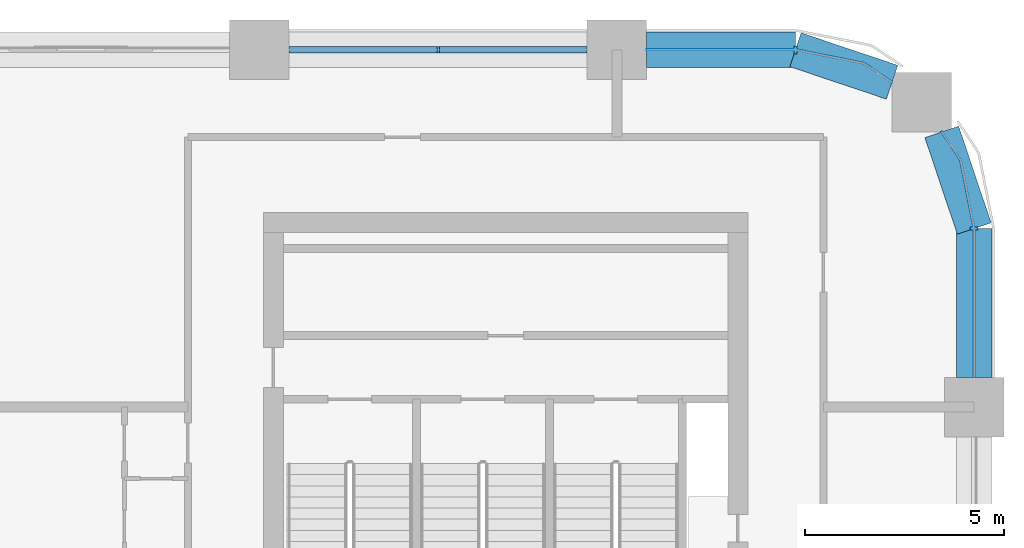
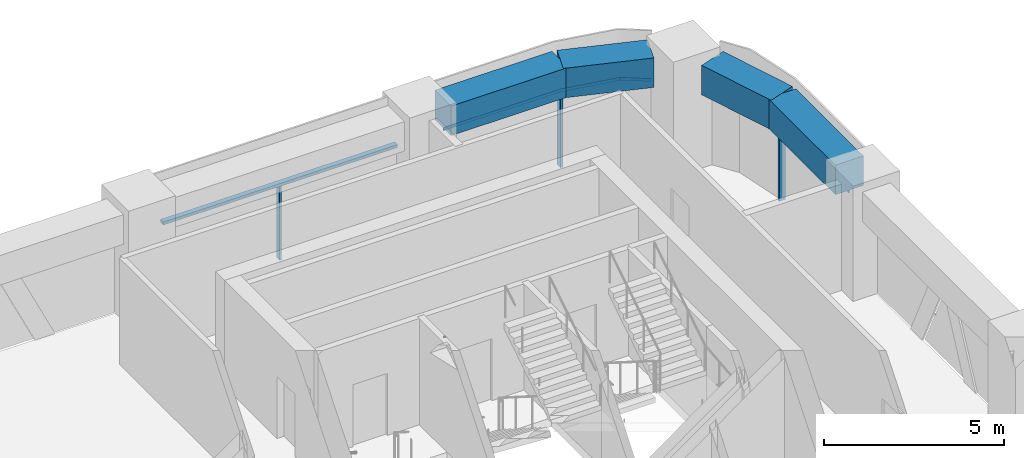
# One storey, part 6 of 19: 6 members, 4 beams, 3 elements without a shape of their own.
"""IFC4 building model written with IfcOpenShell, lengths in metres."""

from ifc_helpers import new_model, si_unit, direction, frame, origin, origin_2d, place, context, subcontext, project, spatial, polyline, rectangle, outline, extrude, material, material_profile, profile_set, type_object, element, aggregate, save


model = new_model("IFC4")

# Units and contexts
model_context = context("Model", 3, precision=1e-05, world=origin(), true_north=direction((0.0, 1.0)))
body_context = subcontext(model_context, "Body", "Model", "MODEL_VIEW")
ifc_project = project(units=[si_unit("LENGTHUNIT", "METRE"), si_unit("AREAUNIT", "SQUARE_METRE"), si_unit("VOLUMEUNIT", "CUBIC_METRE"), si_unit("PLANEANGLEUNIT", "RADIAN"), si_unit("MASSUNIT", "GRAM", prefix="KILO")], contexts=[model_context])

# Site, building, storey
site_placement = place(None, origin())
site = spatial("IfcSite", under=ifc_project, at=site_placement, CompositionType="ELEMENT")
building_placement = place(site_placement, origin())
building = spatial("IfcBuilding", under=site, at=building_placement, Name="Tessera Arch", CompositionType="ELEMENT")
storey_placement = place(building_placement, frame((0.0, 0.0, 170.0)))
storey = spatial("IfcBuildingStorey", under=building, at=storey_placement, Name="L40", CompositionType="ELEMENT", Elevation=170.0)

# Curtain wall, members
ifc_material_1 = material(Name="CW1 curtain wall")
curtain_wall_type_1 = type_object("IfcCurtainWallType", Name="CW1 curtain wall", PredefinedType="NOTDEFINED", material=ifc_material_1)
curtain_wall_1_placement = place(storey_placement, origin())
curtain_wall_1 = element("IfcCurtainWall", 1, at=curtain_wall_1_placement, inside=storey, type_object=curtain_wall_type_1, Name="CW1 curtain wall N54.0/1 L40", PredefinedType="NOTDEFINED")
ifc_material_2 = material(Name="Anodised aluminium pale metal", Category="aluminium")
ifc_material_profile_1 = material_profile(ifc_material_2, rectangle(XDim=0.159912109375, YDim=0.06005859375, at=origin_2d()), Name="AL 60x160")
ifc_profile_set_1 = profile_set([ifc_material_profile_1], Name="Anodised aluminium pale metal")
member_type_1 = type_object("IfcMemberType", Name="CW1 mullion", PredefinedType="MULLION", material=ifc_profile_set_1)
member_1_placement = place(storey_placement, frame((40.5, 54.0, 0.0), z_axis=(0.0, 0.0, 1.0), x_axis=(0.0, -1.0, 0.0)))
member_1 = element("IfcMember", 2, at=member_1_placement, type_object=member_type_1, Name="CW1 mullion N54.0/1 1", PredefinedType="MULLION", context=body_context, shape_type="SweptSolid", body=[
    extrude(rectangle(XDim=0.159912109375, YDim=0.06005859375, at=origin_2d()), origin(), (0.0, 0.0, 1.0), 2.5),
])
ifc_material_3 = material(Name="Anodised aluminium pale metal", Category="aluminium")
ifc_material_profile_2 = material_profile(ifc_material_3, rectangle(XDim=0.159912109375, YDim=0.10009765625, at=origin_2d()), Name="AL 160x100")
ifc_profile_set_2 = profile_set([ifc_material_profile_2], Name="Anodised aluminium pale metal")
member_type_2 = type_object("IfcMemberType", Name="CW1 transom", PredefinedType="USERDEFINED", material=ifc_profile_set_2)
member_2_placement = place(storey_placement, frame((44.25, 54.0, 2.550048828125), z_axis=(-1.0, 0.0, 0.0), x_axis=(0.0, -1.0, 0.0)))
member_2 = element("IfcMember", 3, at=member_2_placement, type_object=member_type_2, Name="CW1 transom N54.0/1 1.1", ObjectType="TRANSOM", PredefinedType="USERDEFINED", context=body_context, shape_type="SweptSolid", body=[
    extrude(rectangle(XDim=0.159912109375, YDim=0.10009765625, at=origin_2d()), origin(), (0.0, 0.0, 1.0), 7.5),
])
aggregate(curtain_wall_1, [member_1, member_2])

# Curtain wall, member
ifc_material_4 = material(Name="CW2 curtain wall")
curtain_wall_type_2 = type_object("IfcCurtainWallType", Name="CW2 curtain wall", PredefinedType="NOTDEFINED", material=ifc_material_4)
curtain_wall_2_placement = place(storey_placement, origin())
curtain_wall_2 = element("IfcCurtainWall", 4, at=curtain_wall_2_placement, inside=storey, type_object=curtain_wall_type_2, Name="CW2 curtain wall E54.27/1 L40", PredefinedType="NOTDEFINED")
ifc_material_5 = material(Name="Anodised aluminium pale metal", Category="aluminium")
ifc_material_profile_3 = material_profile(ifc_material_5, rectangle(XDim=0.199951171875, YDim=0.080078125, at=origin_2d()), Name="AL 80x200")
ifc_profile_set_3 = profile_set([ifc_material_profile_3], Name="Anodised aluminium pale metal")
member_type_3 = type_object("IfcMemberType", Name="CW2 mullion", PredefinedType="MULLION", material=ifc_profile_set_3)
member_3_placement = place(storey_placement, frame((54.0, 49.5, 0.0), z_axis=(0.0, 0.0, 1.0), x_axis=(-1.0, 0.0, 0.0)))
member_3 = element("IfcMember", 5, at=member_3_placement, type_object=member_type_3, Name="CW2 mullion E54.27/1 1", PredefinedType="MULLION", context=body_context, shape_type="SweptSolid", body=[
    extrude(rectangle(XDim=0.199951171875, YDim=0.080078125, at=origin_2d()), origin(), (0.0, 0.0, 1.0), 2.5),
])

curtain_wall_3_placement = place(storey_placement, origin())
curtain_wall_3 = element("IfcCurtainWall", 6, at=curtain_wall_3_placement, inside=storey, type_object=curtain_wall_type_2, Name="CW2 curtain wall N54.0/0 L40", PredefinedType="NOTDEFINED")
member_4_placement = place(storey_placement, frame((49.5, 54.0, 0.0), z_axis=(0.0, 0.0, 1.0), x_axis=(0.0, -1.0, 0.0)))
member_4 = element("IfcMember", 7, at=member_4_placement, type_object=member_type_3, Name="CW2 mullion N54.0/0 1", PredefinedType="MULLION", context=body_context, shape_type="SweptSolid", body=[
    extrude(rectangle(XDim=0.199951171875, YDim=0.080078125, at=origin_2d()), origin(), (0.0, 0.0, 1.0), 2.5),
])

# Member
ifc_material_6 = material(Name="Anodised aluminium pale metal", Category="aluminium")
ifc_material_profile_4 = material_profile(ifc_material_6, rectangle(XDim=0.199951171875, YDim=0.10009765625, at=origin_2d()), Name="AL 200x100")
ifc_profile_set_4 = profile_set([ifc_material_profile_4], Name="Anodised aluminium pale metal")
member_type_4 = type_object("IfcMemberType", Name="CW2 transom", PredefinedType="USERDEFINED", material=ifc_profile_set_4)
member_5_placement = place(storey_placement, frame((0.0, 0.0, 2.5)))
member_5 = element("IfcMember", 8, at=member_5_placement, type_object=member_type_4, Name="CW2 transom E54.27/1 1", ObjectType="TRANSOM", PredefinedType="USERDEFINED", context=body_context, shape_type="SweptSolid", body=[
    extrude(outline(polyline([(53.989990234375, 49.4990234375), (53.989990234375, 45.75), (54.010009765625, 45.75), (54.010009765625, 49.5009765625), (53.6669921875, 51.22607421875), (53.19140625, 51.9375), (53.1748046875, 51.926513671875), (53.648193359375, 51.21826171875), (53.989990234375, 49.4990234375)])), origin(), (0.0, 0.0, 1.0), 0.10009765625),
])

aggregate(curtain_wall_2, [member_3, member_5])

member_6_placement = place(storey_placement, frame((0.0, 0.0, 2.5)))
member_6 = element("IfcMember", 9, at=member_6_placement, type_object=member_type_4, Name="CW2 transom N54.0/0 1", ObjectType="TRANSOM", PredefinedType="USERDEFINED", context=body_context, shape_type="SweptSolid", body=[
    extrude(outline(polyline([(51.21826171875, 53.648193359375), (51.926513671875, 53.1748046875), (51.9375, 53.19140625), (51.22607421875, 53.6669921875), (49.5009765625, 54.010009765625), (45.75, 54.010009765625), (45.75, 53.989990234375), (49.4990234375, 53.989990234375), (51.21826171875, 53.648193359375)])), origin(), (0.0, 0.0, 1.0), 0.10009765625),
])

aggregate(curtain_wall_3, [member_4, member_6])

# Beams
ifc_material_7 = material(Name="Concrete C70/85", Category="concrete")
ifc_material_profile_5 = material_profile(ifc_material_7, rectangle(XDim=0.89990234375, YDim=1.0, at=origin_2d()), Name="RC spandrel beam 900 x 1000 Concrete C70/85")
ifc_profile_set_5 = profile_set([ifc_material_profile_5], Name="Concrete C70/85")
beam_type = type_object("IfcBeamType", Name="RC spandrel beam 900 x 1000 Concrete C70/85", PredefinedType="BEAM", material=ifc_profile_set_5)
beam_1_placement = place(storey_placement, frame((54.0, 45.75, 3.10009765625), z_axis=(0.0, 1.0, 0.0), x_axis=(-1.0, 0.0, 0.0)))
element("IfcBeam", 10, at=beam_1_placement, inside=storey, type_object=beam_type, Name="Spandrel beam L40 E54.27/1.1", PredefinedType="BEAM", context=body_context, shape_type="SweptSolid", body=[
    extrude(rectangle(XDim=0.89990234375, YDim=1.0, at=origin_2d()), origin(), (0.0, 0.0, 1.0), 3.75),
])
for number, where, z_axis, x_axis, name in (
    (11, (54.0, 49.5, 3.10009765625), (-0.31842525032, 0.947947973234, 0.0), (-0.947947973234, -0.31842525032, 0.0), "Spandrel beam L40 E54.27/1.2"),
    (12, (51.931884765625, 53.18310546875, 3.10009765625), (-0.947947973234, 0.31842525032, 0.0), (-0.31842525032, -0.947947973234, 0.0), "Spandrel beam L40 N54.0/0.1"),
):
    element("IfcBeam", number, at=place(storey_placement, frame(where, z_axis=z_axis, x_axis=x_axis)), inside=storey, type_object=beam_type, Name=name, PredefinedType="BEAM", context=body_context, shape_type="SweptSolid", body=[
        extrude(rectangle(XDim=0.89990234375, YDim=1.0, at=origin_2d()), origin(), (0.0, 0.0, 1.0), 2.5654296875),
    ])
beam_2_placement = place(storey_placement, frame((49.5, 54.0, 3.10009765625), z_axis=(-1.0, 0.0, 0.0), x_axis=(0.0, -1.0, 0.0)))
element("IfcBeam", 13, at=beam_2_placement, inside=storey, type_object=beam_type, Name="Spandrel beam L40 N54.0/0.2", PredefinedType="BEAM", context=body_context, shape_type="SweptSolid", body=[
    extrude(rectangle(XDim=0.89990234375, YDim=1.0, at=origin_2d()), origin(), (0.0, 0.0, 1.0), 3.75),
])

save(model, "model.ifc")
